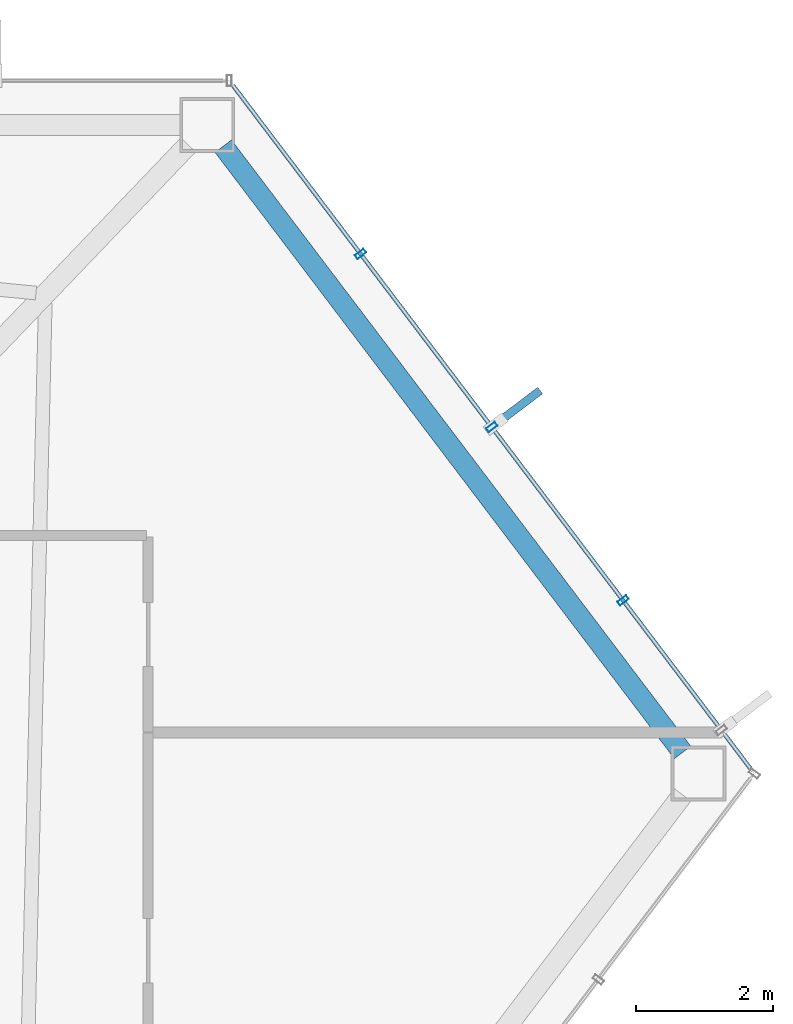
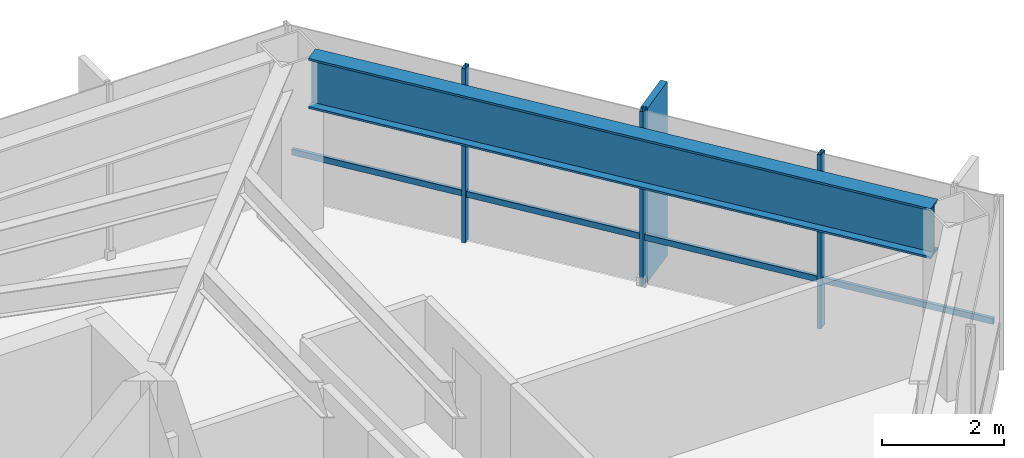
# One storey, part 23 of 29: 5 members, 1 beam, 1 element without a shape of its own.
"""IFC4 building model written with IfcOpenShell, lengths in metres."""

from ifc_helpers import new_model, si_unit, direction, frame, origin, origin_2d, place, context, subcontext, project, spatial, rectangle, hollow_rectangle, i_section, extrude, material, layer, layer_set, material_profile, profile_set, type_object, element, aggregate, save


model = new_model("IFC4")

# Units and contexts
model_context = context("Model", 3, precision=1e-05, world=origin(), true_north=direction((0.0, 1.0)))
body_context = subcontext(model_context, "Body", "Model", "MODEL_VIEW")
ifc_project = project(units=[si_unit("LENGTHUNIT", "METRE"), si_unit("AREAUNIT", "SQUARE_METRE"), si_unit("VOLUMEUNIT", "CUBIC_METRE"), si_unit("PLANEANGLEUNIT", "RADIAN"), si_unit("MASSUNIT", "GRAM", prefix="KILO")], contexts=[model_context])

# Site, building, storey
site_placement = place(None, origin())
site = spatial("IfcSite", under=ifc_project, at=site_placement, CompositionType="ELEMENT")
building_placement = place(site_placement, origin())
building = spatial("IfcBuilding", under=site, at=building_placement, Name="Zarrinselat Tower", CompositionType="ELEMENT")
storey_placement = place(building_placement, frame((0.0, 0.0, 134.639892578125)))
storey = spatial("IfcBuildingStorey", under=building, at=storey_placement, Name="L32", CompositionType="ELEMENT", Elevation=134.639892578125)

# Beam
ifc_material_1 = material(Name="Steel S460M", Category="steel")
ifc_material_profile_1 = material_profile(ifc_material_1, i_section(OverallWidth=0.302001953125, OverallDepth=1.008056640625, WebThickness=0.02099609375, FlangeThickness=0.0400390625, at=origin_2d()), Name="HEM 1000")
ifc_profile_set_1 = profile_set([ifc_material_profile_1], Name="Steel S460M")
beam_type = type_object("IfcBeamType", Name="BM-HEM1000", PredefinedType="BEAM", material=ifc_profile_set_1)
beam_placement = place(storey_placement, frame((55.099365234375, 48.190673828125, 2.99609375), z_axis=(0.603858110813, -0.797091827838, 0.0), x_axis=(0.797091827838, 0.603858110813, 0.0)))
element("IfcBeam", 1, at=beam_placement, inside=storey, type_object=beam_type, Name="L32 Perimeter Spandrel Girder SP15", PredefinedType="BEAM", context=body_context, shape_type="SweptSolid", body=[
    extrude(i_section(OverallWidth=0.302001953125, OverallDepth=1.008056640625, WebThickness=0.02099609375, FlangeThickness=0.0400390625, at=origin_2d()), origin(), (0.0, 0.0, 1.0), 11.1171875),
])

# Curtain wall, members
ifc_material_2 = material(Name="Extruded Aluminium Alloy EN AW-6063 T6", Category="aluminium")
ifc_layer = layer(ifc_material_2, 0.175048828125)
ifc_layer_set = layer_set([ifc_layer], Name="Extruded Aluminium Alloy EN AW-6063 T6")
curtain_wall_type = type_object("IfcCurtainWallType", Name="CWS-HTL", PredefinedType="NOTDEFINED", material=ifc_layer_set)
curtain_wall_placement = place(storey_placement, origin())
curtain_wall = element("IfcCurtainWall", 2, at=curtain_wall_placement, inside=storey, type_object=curtain_wall_type, Name="L32 Unitised Curtain Wall CW-L32-E06", PredefinedType="NOTDEFINED")
ifc_material_3 = material(Name="Extruded Aluminium Alloy EN AW-6063 T6", Category="aluminium")
ifc_material_profile_2 = material_profile(ifc_material_3, hollow_rectangle(XDim=0.070068359375, YDim=0.159912109375, WallThickness=0.00390625, at=origin_2d()), Name="RHS 160x70x4")
ifc_profile_set_2 = profile_set([ifc_material_profile_2], Name="Extruded Aluminium Alloy EN AW-6063 T6")
member_type_1 = type_object("IfcMemberType", Name="MEM-CW-MUL2", PredefinedType="MULLION", material=ifc_profile_set_2)
member_1_placement = place(storey_placement, frame((60.943603515625, 41.552490234375, 0.0), z_axis=(0.0, 0.0, 1.0), x_axis=(-0.60385935447, 0.79709088567, 0.0)))
member_1 = element("IfcMember", 3, at=member_1_placement, type_object=member_type_1, Name="CW-L32-E06 Mullion 2", PredefinedType="MULLION", context=body_context, shape_type="SweptSolid", body=[
    extrude(hollow_rectangle(XDim=0.070068359375, YDim=0.159912109375, WallThickness=0.00390625, at=origin_2d()), origin(), (0.0, 0.0, 1.0), 3.5),
])
member_2_placement = place(storey_placement, frame((59.025146484375, 44.0849609375, 0.0), z_axis=(0.0, 0.0, 1.0), x_axis=(-0.60385935447, 0.79709088567, 0.0)))
member_2 = element("IfcMember", 4, at=member_2_placement, type_object=member_type_1, Name="CW-L32-E06 Mullion 3", PredefinedType="MULLION", context=body_context, shape_type="SweptSolid", body=[
    extrude(hollow_rectangle(XDim=0.070068359375, YDim=0.159912109375, WallThickness=0.00390625, at=origin_2d()), origin(), (0.0, 0.0, 1.0), 3.5),
])
member_3_placement = place(storey_placement, frame((57.1064453125, 46.617431640625, 0.0), z_axis=(0.0, 0.0, 1.0), x_axis=(-0.60385935447, 0.79709088567, 0.0)))
member_3 = element("IfcMember", 5, at=member_3_placement, type_object=member_type_1, Name="CW-L32-E06 Mullion 4", PredefinedType="MULLION", context=body_context, shape_type="SweptSolid", body=[
    extrude(hollow_rectangle(XDim=0.070068359375, YDim=0.159912109375, WallThickness=0.00390625, at=origin_2d()), origin(), (0.0, 0.0, 1.0), 3.5),
])
ifc_material_4 = material(Name="Extruded Aluminium Alloy EN AW-6063 T6", Category="aluminium")
ifc_material_profile_3 = material_profile(ifc_material_4, hollow_rectangle(XDim=0.06005859375, YDim=0.1201171875, WallThickness=0.00390625, at=origin_2d()), Name="RHS 120x60x4")
ifc_profile_set_3 = profile_set([ifc_material_profile_3], Name="Extruded Aluminium Alloy EN AW-6063 T6")
member_type_2 = type_object("IfcMemberType", Name="MEM-CW-TRN2", PredefinedType="USERDEFINED", material=ifc_profile_set_3)
member_4_placement = place(storey_placement, frame((62.807861328125, 39.091796875, 0.9501953125), z_axis=(-0.603862190081, 0.797088737463, 0.0), x_axis=(-0.797088737463, -0.603862190081, 0.0)))
member_4 = element("IfcMember", 6, at=member_4_placement, type_object=member_type_2, Name="CW-L32-E06 Transom 1", ObjectType="TRANSOM", PredefinedType="USERDEFINED", context=body_context, shape_type="SweptSolid", body=[
    extrude(hollow_rectangle(XDim=0.06005859375, YDim=0.1201171875, WallThickness=0.00390625, at=origin_2d()), origin(), (0.0, 0.0, 1.0), 12.52880859375),
])
ifc_material_5 = material(Name="Honed Cream Travertine Stone", Category="masonry")
ifc_material_profile_4 = material_profile(ifc_material_5, rectangle(XDim=0.1201171875, YDim=0.85009765625, at=origin_2d()), Name="FIN 850x120")
ifc_profile_set_4 = profile_set([ifc_material_profile_4], Name="Honed Cream Travertine Stone")
member_type_3 = type_object("IfcMemberType", Name="MEM-STONE-FIN", PredefinedType="USERDEFINED", material=ifc_profile_set_4)
member_5_placement = place(storey_placement, frame((59.391845703125, 44.36279296875, 0.0), z_axis=(0.0, 0.0, 1.0), x_axis=(0.60385935447, -0.79709088567, 0.0)))
member_5 = element("IfcMember", 7, at=member_5_placement, type_object=member_type_3, Name="L32 Stone Shading Fin CW-L32-E06-03", ObjectType="FIN", PredefinedType="USERDEFINED", context=body_context, shape_type="SweptSolid", body=[
    extrude(rectangle(XDim=0.1201171875, YDim=0.85009765625, at=origin_2d()), origin(), (0.0, 0.0, 1.0), 3.5),
])
aggregate(curtain_wall, [member_1, member_2, member_5, member_3, member_4])

save(model, "model.ifc")
